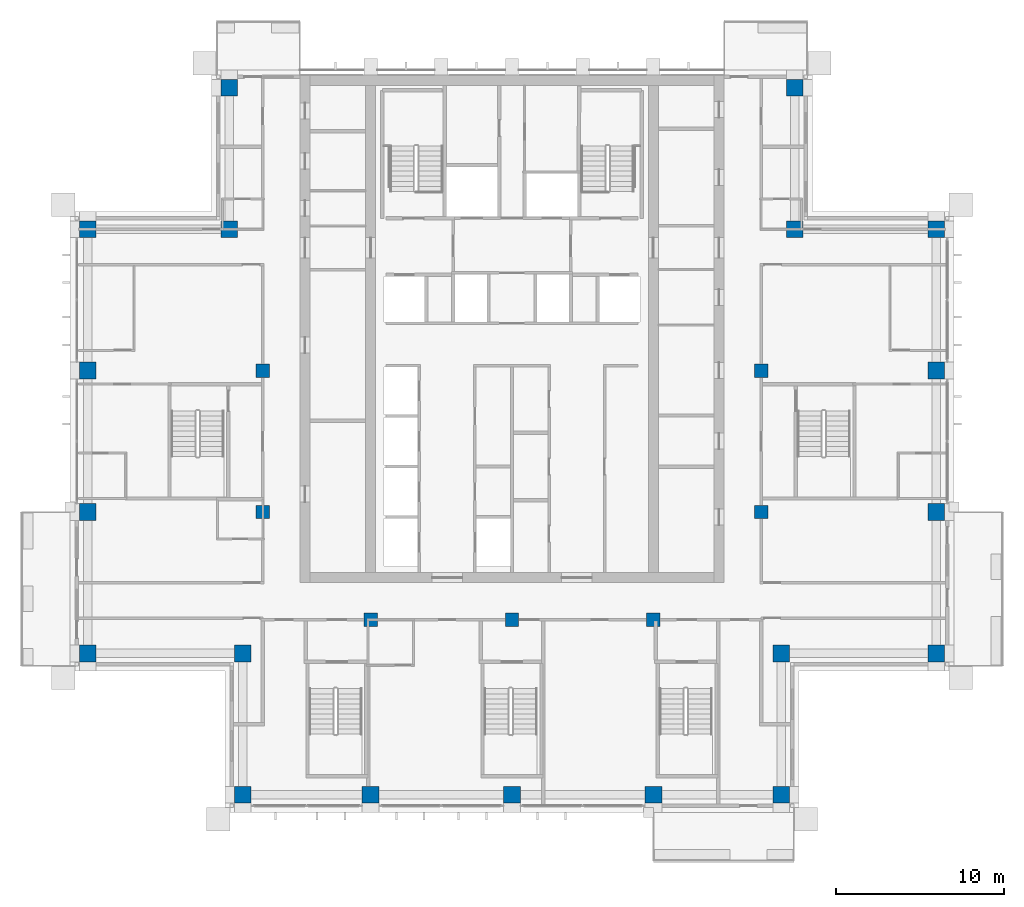
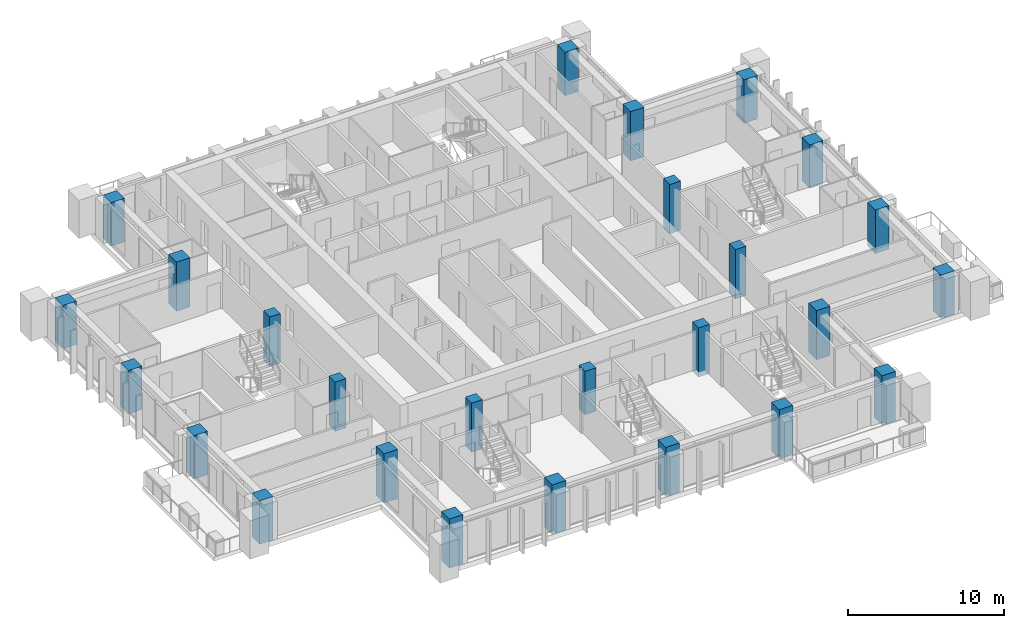
# One storey, part 1 of 19: 26 columns.
"""IFC4 building model written with IfcOpenShell, lengths in metres."""

from ifc_helpers import new_model, si_unit, direction, frame, origin, origin_2d, place, context, subcontext, project, spatial, rectangle, extrude, material, material_profile, profile_set, type_object, element, save


model = new_model("IFC4")

# Units and contexts
model_context = context("Model", 3, precision=1e-05, world=origin(), true_north=direction((0.0, 1.0)))
body_context = subcontext(model_context, "Body", "Model", "MODEL_VIEW")
ifc_project = project(units=[si_unit("LENGTHUNIT", "METRE"), si_unit("AREAUNIT", "SQUARE_METRE"), si_unit("VOLUMEUNIT", "CUBIC_METRE"), si_unit("PLANEANGLEUNIT", "RADIAN"), si_unit("MASSUNIT", "GRAM", prefix="KILO")], contexts=[model_context])

# Site, building, storey
site_placement = place(None, origin())
site = spatial("IfcSite", under=ifc_project, at=site_placement, CompositionType="ELEMENT")
building_placement = place(site_placement, origin())
building = spatial("IfcBuilding", under=site, at=building_placement, Name="Vermilion Ogive Tower", CompositionType="ELEMENT")
storey_placement = place(building_placement, frame((0.0, 0.0, 213.5)))
storey = spatial("IfcBuildingStorey", under=building, at=storey_placement, Name="L56", CompositionType="ELEMENT", Elevation=213.5)

# Columns
ifc_material_1 = material(Name="Concrete B60", Category="concrete")
ifc_material_profile_1 = material_profile(ifc_material_1, rectangle(XDim=1.0, YDim=1.0, at=origin_2d()), Name="1000 x 1000")
ifc_profile_set_1 = profile_set([ifc_material_profile_1], Name="Concrete B60")
column_type_1 = type_object("IfcColumnType", Name="Perimeter column 1000 x 1000 B60", PredefinedType="COLUMN", material=ifc_profile_set_1)
for number, where, z_axis, x_axis, name in (
    (1, (-16.0, -21.0, -0.39990234375), (0.0, 0.0, 1.0), (1.0, 0.0, 0.0), "COL-L56-P-0160-210"),
    (2, (-8.39990234375, -21.0, -0.39990234375), (0.0, 0.0, 1.0), (1.0, 0.0, 0.0), "COL-L56-P-0084-210"),
    (3, (0.0, -21.0, -0.39990234375), (0.0, 0.0, 1.0), (1.0, 0.0, 0.0), "COL-L56-P+0000-210"),
    (4, (8.39990234375, -21.0, -0.39990234375), (0.0, 0.0, 1.0), (1.0, 0.0, 0.0), "COL-L56-P+0084-210"),
    (5, (16.0, -21.0, -0.39990234375), (0.0, 0.0, 1.0), (1.0, 0.0, 0.0), "COL-L56-P+0160-210"),
):
    element("IfcColumn", number, at=place(storey_placement, frame(where, z_axis=z_axis, x_axis=x_axis)), inside=storey, type_object=column_type_1, Name=name, PredefinedType="COLUMN", context=body_context, shape_type="SweptSolid", body=[
        extrude(rectangle(XDim=1.0, YDim=1.0, at=origin_2d()), origin(), (0.0, 0.0, 1.0), 3.849853515625),
    ])
column_1_placement = place(storey_placement, frame((-25.199951171875, -12.60009765625, -0.39990234375), z_axis=(0.0, 0.0, 1.0), x_axis=(1.0, 0.0, 0.0)))
element("IfcColumn", 6, at=column_1_placement, inside=storey, type_object=column_type_1, Name="COL-L56-P-0252-126", PredefinedType="COLUMN", context=body_context, shape_type="SweptSolid", body=[
    extrude(rectangle(XDim=1.0, YDim=1.0, at=origin_2d()), origin(), (0.0, 0.0, 1.0), 3.39990234375),
])
for number, where, z_axis, x_axis, name in (
    (7, (-16.0, -12.60009765625, -0.39990234375), (0.0, 0.0, 1.0), (1.0, 0.0, 0.0), "COL-L56-P-0160-126"),
    (8, (16.0, -12.60009765625, -0.39990234375), (0.0, 0.0, 1.0), (1.0, 0.0, 0.0), "COL-L56-P+0160-126"),
):
    element("IfcColumn", number, at=place(storey_placement, frame(where, z_axis=z_axis, x_axis=x_axis)), inside=storey, type_object=column_type_1, Name=name, PredefinedType="COLUMN", context=body_context, shape_type="SweptSolid", body=[
        extrude(rectangle(XDim=1.0, YDim=1.0, at=origin_2d()), origin(), (0.0, 0.0, 1.0), 3.849853515625),
    ])
for number, where, z_axis, x_axis, name in (
    (9, (25.199951171875, -12.60009765625, -0.39990234375), (0.0, 0.0, 1.0), (1.0, 0.0, 0.0), "COL-L56-P+0252-126"),
    (10, (-25.199951171875, -4.199951171875, -0.39990234375), (0.0, 0.0, 1.0), (1.0, 0.0, 0.0), "COL-L56-P-0252-042"),
    (11, (25.199951171875, -4.199951171875, -0.39990234375), (0.0, 0.0, 1.0), (1.0, 0.0, 0.0), "COL-L56-P+0252-042"),
    (12, (-25.199951171875, 4.199951171875, -0.39990234375), (0.0, 0.0, 1.0), (1.0, 0.0, 0.0), "COL-L56-P-0252+042"),
    (13, (25.199951171875, 4.199951171875, -0.39990234375), (0.0, 0.0, 1.0), (1.0, 0.0, 0.0), "COL-L56-P+0252+042"),
    (14, (-25.199951171875, 12.60009765625, -0.39990234375), (0.0, 0.0, 1.0), (1.0, 0.0, 0.0), "COL-L56-P-0252+126"),
):
    element("IfcColumn", number, at=place(storey_placement, frame(where, z_axis=z_axis, x_axis=x_axis)), inside=storey, type_object=column_type_1, Name=name, PredefinedType="COLUMN", context=body_context, shape_type="SweptSolid", body=[
        extrude(rectangle(XDim=1.0, YDim=1.0, at=origin_2d()), origin(), (0.0, 0.0, 1.0), 3.39990234375),
    ])
for number, where, z_axis, x_axis, name in (
    (15, (-16.800048828125, 12.60009765625, -0.39990234375), (0.0, 0.0, 1.0), (1.0, 0.0, 0.0), "COL-L56-P-0168+126"),
    (16, (16.800048828125, 12.60009765625, -0.39990234375), (0.0, 0.0, 1.0), (1.0, 0.0, 0.0), "COL-L56-P+0168+126"),
):
    element("IfcColumn", number, at=place(storey_placement, frame(where, z_axis=z_axis, x_axis=x_axis)), inside=storey, type_object=column_type_1, Name=name, PredefinedType="COLUMN", context=body_context, shape_type="SweptSolid", body=[
        extrude(rectangle(XDim=1.0, YDim=1.0, at=origin_2d()), origin(), (0.0, 0.0, 1.0), 3.849853515625),
    ])
for number, where, z_axis, x_axis, name in (
    (17, (25.199951171875, 12.60009765625, -0.39990234375), (0.0, 0.0, 1.0), (1.0, 0.0, 0.0), "COL-L56-P+0252+126"),
    (18, (-16.800048828125, 21.0, -0.39990234375), (0.0, 0.0, 1.0), (1.0, 0.0, 0.0), "COL-L56-P-0168+210"),
    (19, (16.800048828125, 21.0, -0.39990234375), (0.0, 0.0, 1.0), (1.0, 0.0, 0.0), "COL-L56-P+0168+210"),
):
    element("IfcColumn", number, at=place(storey_placement, frame(where, z_axis=z_axis, x_axis=x_axis)), inside=storey, type_object=column_type_1, Name=name, PredefinedType="COLUMN", context=body_context, shape_type="SweptSolid", body=[
        extrude(rectangle(XDim=1.0, YDim=1.0, at=origin_2d()), origin(), (0.0, 0.0, 1.0), 3.39990234375),
    ])
ifc_material_2 = material(Name="Concrete B60", Category="concrete")
ifc_material_profile_2 = material_profile(ifc_material_2, rectangle(XDim=0.800048828125, YDim=0.800048828125, at=origin_2d()), Name="800 x 800")
ifc_profile_set_2 = profile_set([ifc_material_profile_2], Name="Concrete B60")
column_type_2 = type_object("IfcColumnType", Name="Ring column 800 x 800 B60", PredefinedType="COLUMN", material=ifc_profile_set_2)
column_2_placement = place(storey_placement, frame((-8.39990234375, -10.60009765625, -0.39990234375), z_axis=(0.0, 0.0, 1.0), x_axis=(1.0, 0.0, 0.0)))
element("IfcColumn", 20, at=column_2_placement, inside=storey, type_object=column_type_2, Name="COL-L56-R-0084-106", PredefinedType="COLUMN", context=body_context, shape_type="SweptSolid", body=[
    extrude(rectangle(XDim=0.800048828125, YDim=0.800048828125, at=origin_2d()), origin(), (0.0, 0.0, 1.0), 3.849853515625),
])
column_3_placement = place(storey_placement, frame((0.0, -10.60009765625, -0.39990234375), z_axis=(0.0, 0.0, 1.0), x_axis=(1.0, 0.0, 0.0)))
element("IfcColumn", 21, at=column_3_placement, inside=storey, type_object=column_type_2, Name="COL-L56-R+0000-106", PredefinedType="COLUMN", context=body_context, shape_type="SweptSolid", body=[
    extrude(rectangle(XDim=0.800048828125, YDim=0.800048828125, at=origin_2d()), origin(), (0.0, 0.0, 1.0), 3.39990234375),
])
for number, where, z_axis, x_axis, name in (
    (22, (8.39990234375, -10.60009765625, -0.39990234375), (0.0, 0.0, 1.0), (1.0, 0.0, 0.0), "COL-L56-R+0084-106"),
    (23, (-14.800048828125, -4.199951171875, -0.39990234375), (0.0, 0.0, 1.0), (1.0, 0.0, 0.0), "COL-L56-R-0148-042"),
    (24, (14.800048828125, -4.199951171875, -0.39990234375), (0.0, 0.0, 1.0), (1.0, 0.0, 0.0), "COL-L56-R+0148-042"),
    (25, (-14.800048828125, 4.199951171875, -0.39990234375), (0.0, 0.0, 1.0), (1.0, 0.0, 0.0), "COL-L56-R-0148+042"),
    (26, (14.800048828125, 4.199951171875, -0.39990234375), (0.0, 0.0, 1.0), (1.0, 0.0, 0.0), "COL-L56-R+0148+042"),
):
    element("IfcColumn", number, at=place(storey_placement, frame(where, z_axis=z_axis, x_axis=x_axis)), inside=storey, type_object=column_type_2, Name=name, PredefinedType="COLUMN", context=body_context, shape_type="SweptSolid", body=[
        extrude(rectangle(XDim=0.800048828125, YDim=0.800048828125, at=origin_2d()), origin(), (0.0, 0.0, 1.0), 3.849853515625),
    ])

save(model, "model.ifc")
